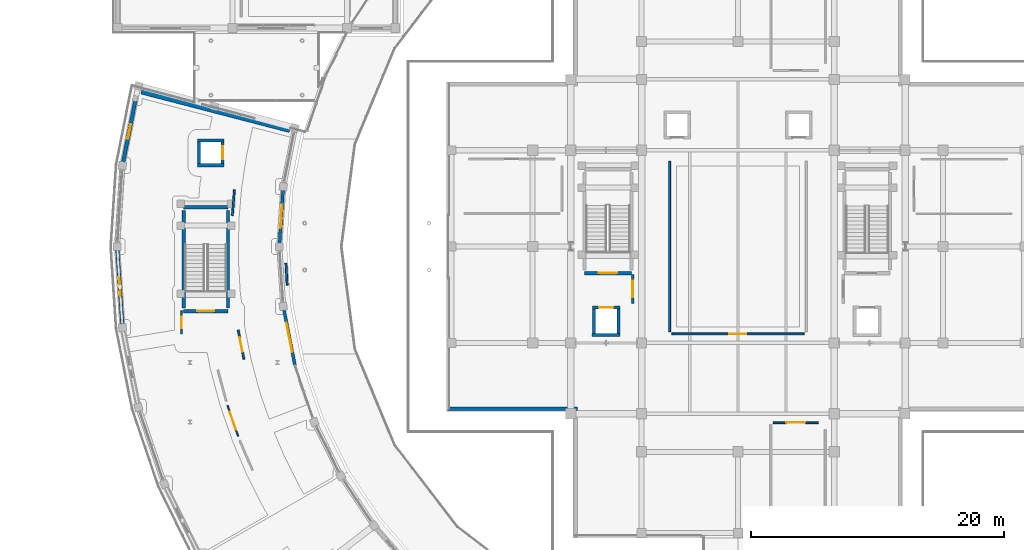
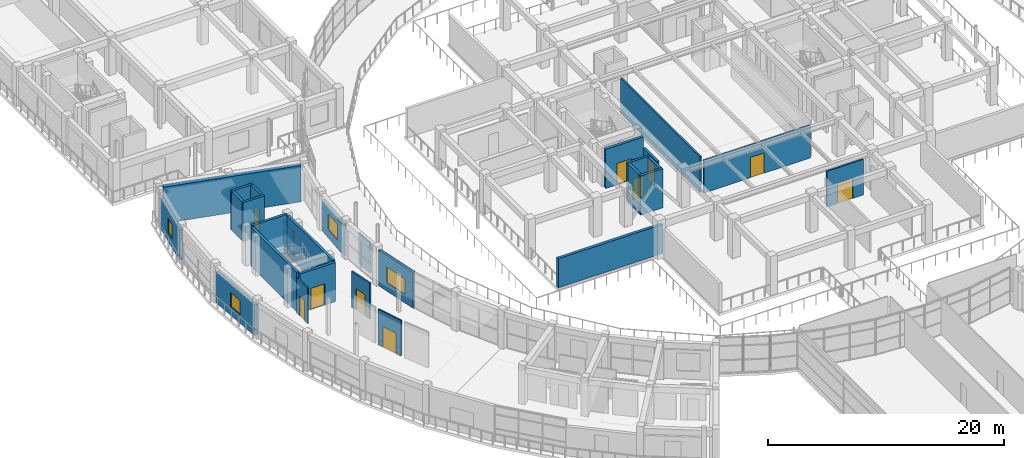
# One storey, part 57 of 83: 28 walls, 10 doors, 4 windows, 14 openings.
"""IFC4 building model written with IfcOpenShell, lengths in metres."""

from ifc_helpers import new_model, si_unit, direction, frame, frame_2d, origin, place, context, subcontext, project, spatial, rectangle, extrude, material, layer, layer_set, type_object, element, fill, save


model = new_model("IFC4")

# Units and contexts
model_context = context("Model", 3, precision=1e-05, world=origin(), true_north=direction((0.0, 1.0)))
body_context = subcontext(model_context, "Body", "Model", "MODEL_VIEW")
ifc_project = project(units=[si_unit("LENGTHUNIT", "METRE"), si_unit("AREAUNIT", "SQUARE_METRE"), si_unit("VOLUMEUNIT", "CUBIC_METRE"), si_unit("PLANEANGLEUNIT", "RADIAN"), si_unit("MASSUNIT", "GRAM", prefix="KILO")], contexts=[model_context])

# Site, building, storey
site_placement = place(None, origin())
site = spatial("IfcSite", under=ifc_project, at=site_placement, CompositionType="ELEMENT")
building_placement = place(site_placement, origin())
building = spatial("IfcBuilding", under=site, at=building_placement, Name="Saryqyr Civic Hall", CompositionType="ELEMENT")
storey_placement = place(building_placement, frame((0.0, 0.0, 9.14990234375)))
storey = spatial("IfcBuildingStorey", under=building, at=storey_placement, Name="L02", CompositionType="ELEMENT", Elevation=9.14990234375)

# Wall, opening, window
ifc_material_1 = material(Name="Precast concrete C40/50", Category="concrete")
ifc_layer_1 = layer(ifc_material_1, 0.239990234375, Name="Precast concrete C40/50")
ifc_layer_set_1 = layer_set([ifc_layer_1], Name="Precast concrete C40/50")
wall_type_1 = type_object("IfcWallType", Name="ENV-WAL-EXT-240", PredefinedType="STANDARD", material=ifc_layer_set_1)
wall_1_placement = place(storey_placement, frame((21.09423828125, 88.489990234375, 0.0), z_axis=(0.0, 0.0, 1.0), x_axis=(-0.065386512163, -0.99786001224, 0.0)))
wall_1 = element("IfcWall", 1, at=wall_1_placement, inside=storey, type_object=wall_type_1, Name="Exterior wall V4-EWI-L02-01", PredefinedType="STANDARD", context=body_context, shape_type="SweptSolid", body=[
    extrude(rectangle(XDim=4.263916015625, YDim=0.239990234375, at=frame_2d((2.1318359375, 0.0))), origin(), (0.0, 0.0, 1.0), 3.1650390625),
])
opening_1_placement = place(wall_1_placement, frame((1.20703125, 0.0, 0.85009765625)))
opening_1 = element("IfcOpeningElement", 2, at=opening_1_placement, cuts=wall_1, Name="Opening W-20", PredefinedType="OPENING", context=body_context, shape_type="SweptSolid", body=[
    extrude(rectangle(XDim=1.85009765625, YDim=1.64990234375, at=frame_2d((0.925048828125, 0.824951171875))), frame((0.0, 0.1298828125, 0.0), z_axis=(0.0, -1.0, 0.0), x_axis=(1.0, 0.0, 0.0)), (0.0, 0.0, 1.0), 0.260009765625),
])
ifc_material_2 = material(Name="Anodised aluminium and triple low-E glass", Category="aluminium")
window_type_1 = type_object("IfcWindowType", Name="ENV-WIN-W20", PartitioningType="SINGLE_PANEL", PredefinedType="WINDOW", material=ifc_material_2)
window_1_placement = place(opening_1_placement, origin())
window_1 = element("IfcWindow", 3, at=window_1_placement, inside=storey, type_object=window_type_1, Name="Courtyard window V4-L02-01", OverallHeight=1.64990234375, OverallWidth=1.85009765625, PartitioningType="SINGLE_PANEL", PredefinedType="WINDOW", context=body_context, shape_type="SweptSolid", body=[
    extrude(rectangle(XDim=1.85009765625, YDim=1.64990234375, at=frame_2d((0.925048828125, 0.824951171875))), frame((0.0, 0.030029296875, 0.0), z_axis=(0.0, -1.0, 0.0), x_axis=(1.0, 0.0, 0.0)), (0.0, 0.0, 1.0), 0.06005859375),
])
fill(opening_1, window_1)

wall_2_placement = place(storey_placement, frame((21.156494140625, 79.0400390625, 0.0), z_axis=(0.0, 0.0, 1.0), x_axis=(0.195071653653, -0.980788993587, 0.0)))
wall_2 = element("IfcWall", 4, at=wall_2_placement, inside=storey, type_object=wall_type_1, Name="Exterior wall V4-EWI-L02-03", PredefinedType="STANDARD", context=body_context, shape_type="SweptSolid", body=[
    extrude(rectangle(XDim=4.49560546875, YDim=0.239990234375, at=frame_2d((2.247802734375, 0.0))), origin(), (0.0, 0.0, 1.0), 3.7001953125),
])
opening_2_placement = place(wall_2_placement, frame((1.072998046875, 0.0, 0.85009765625)))
opening_2 = element("IfcOpeningElement", 5, at=opening_2_placement, cuts=wall_2, Name="Opening W-22", PredefinedType="OPENING", context=body_context, shape_type="SweptSolid", body=[
    extrude(rectangle(XDim=2.35009765625, YDim=1.64990234375, at=frame_2d((1.175048828125, 0.824951171875))), frame((0.0, 0.1298828125, 0.0), z_axis=(0.0, -1.0, 0.0), x_axis=(1.0, 0.0, 0.0)), (0.0, 0.0, 1.0), 0.260009765625),
])
window_type_2 = type_object("IfcWindowType", Name="ENV-WIN-W22", PartitioningType="SINGLE_PANEL", PredefinedType="WINDOW", material=ifc_material_2)
window_2_placement = place(opening_2_placement, origin())
window_2 = element("IfcWindow", 6, at=window_2_placement, inside=storey, type_object=window_type_2, Name="Courtyard window V4-L02-03", OverallHeight=1.64990234375, OverallWidth=2.35009765625, PartitioningType="SINGLE_PANEL", PredefinedType="WINDOW", context=body_context, shape_type="SweptSolid", body=[
    extrude(rectangle(XDim=2.35009765625, YDim=1.64990234375, at=frame_2d((1.175048828125, 0.824951171875))), frame((0.0, 0.030029296875, 0.0), z_axis=(0.0, -1.0, 0.0), x_axis=(1.0, 0.0, 0.0)), (0.0, 0.0, 1.0), 0.06005859375),
])
fill(opening_2, window_2)

# Wall
ifc_layer_2 = layer(ifc_material_1, 0.27001953125, Name="Precast concrete C40/50")
ifc_layer_set_2 = layer_set([ifc_layer_2], Name="Precast concrete C40/50")
wall_type_2 = type_object("IfcWallType", Name="ENV-WAL-EXT-270", PredefinedType="STANDARD", material=ifc_layer_set_2)
wall_3_placement = place(storey_placement, frame((44.320068359375, 71.199951171875, 0.0), z_axis=(0.0, 0.0, 1.0), x_axis=(-1.0, 0.0, 0.0)))
element("IfcWall", 7, at=wall_3_placement, inside=storey, type_object=wall_type_2, Name="Exterior wall V1-EW-L02-01", PredefinedType="STANDARD", context=body_context, shape_type="SweptSolid", body=[
    extrude(rectangle(XDim=10.239990234375, YDim=0.27001953125, at=frame_2d((5.1201171875, 0.0))), origin(), (0.0, 0.0, 1.0), 3.01513671875),
])

# Wall, opening, window
ifc_layer_3 = layer(ifc_material_1, 0.2900390625, Name="Precast concrete C40/50")
ifc_layer_set_3 = layer_set([ifc_layer_3], Name="Precast concrete C40/50")
wall_type_3 = type_object("IfcWallType", Name="ENV-WAL-EXT-290", PredefinedType="STANDARD", material=ifc_layer_set_3)
wall_4_placement = place(storey_placement, frame((8.4658203125, 90.630859375, 0.0), z_axis=(0.0, 0.0, 1.0), x_axis=(0.195083817114, 0.980786574286, 0.0)))
wall_4 = element("IfcWall", 8, at=wall_4_placement, inside=storey, type_object=wall_type_3, Name="Exterior wall V4-EWO-L02-00", PredefinedType="STANDARD", context=body_context, shape_type="SweptSolid", body=[
    extrude(rectangle(XDim=5.00341796875, YDim=0.2900390625, at=frame_2d((2.501708984375, 0.0))), origin(), (0.0, 0.0, 1.0), 3.1650390625),
])
opening_3_placement = place(wall_4_placement, frame((1.927001953125, 0.0, 0.85009765625)))
opening_3 = element("IfcOpeningElement", 9, at=opening_3_placement, cuts=wall_4, Name="Opening W-09", PredefinedType="OPENING", context=body_context, shape_type="SweptSolid", body=[
    extrude(rectangle(XDim=1.14990234375, YDim=1.5, at=frame_2d((0.574951171875, 0.75))), frame((0.0, 0.155029296875, 0.0), z_axis=(0.0, -1.0, 0.0), x_axis=(1.0, 0.0, 0.0)), (0.0, 0.0, 1.0), 0.31005859375),
])
window_type_3 = type_object("IfcWindowType", Name="ENV-WIN-W09", PartitioningType="SINGLE_PANEL", PredefinedType="WINDOW", material=ifc_material_2)
window_3_placement = place(opening_3_placement, origin())
window_3 = element("IfcWindow", 10, at=window_3_placement, inside=storey, type_object=window_type_3, Name="Exterior ribbon window V4-L02-00", OverallHeight=1.5, OverallWidth=1.14990234375, PartitioningType="SINGLE_PANEL", PredefinedType="WINDOW", context=body_context, shape_type="SweptSolid", body=[
    extrude(rectangle(XDim=1.14990234375, YDim=1.5, at=frame_2d((0.574951171875, 0.75))), frame((0.0, 0.030029296875, 0.0), z_axis=(0.0, -1.0, 0.0), x_axis=(1.0, 0.0, 0.0)), (0.0, 0.0, 1.0), 0.06005859375),
])
fill(opening_3, window_3)

wall_5_placement = place(storey_placement, frame((8.40380859375, 77.839111328125, 0.0), z_axis=(0.0, 0.0, 1.0), x_axis=(-0.065408412816, 0.99785857692, 0.0)))
wall_5 = element("IfcWall", 11, at=wall_5_placement, inside=storey, type_object=wall_type_3, Name="Exterior wall V4-EWO-L02-02", PredefinedType="STANDARD", context=body_context, shape_type="SweptSolid", body=[
    extrude(rectangle(XDim=5.9384765625, YDim=0.2900390625, at=frame_2d((2.96923828125, 0.0))), origin(), (0.0, 0.0, 1.0), 3.1650390625),
])
opening_4_placement = place(wall_5_placement, frame((2.243896484375, 0.0, 0.85009765625)))
opening_4 = element("IfcOpeningElement", 12, at=opening_4_placement, cuts=wall_5, Name="Opening W-11", PredefinedType="OPENING", context=body_context, shape_type="SweptSolid", body=[
    extrude(rectangle(XDim=1.449951171875, YDim=1.5, at=frame_2d((0.72509765625, 0.75))), frame((0.0, 0.155029296875, 0.0), z_axis=(0.0, -1.0, 0.0), x_axis=(1.0, 0.0, 0.0)), (0.0, 0.0, 1.0), 0.31005859375),
])
window_type_4 = type_object("IfcWindowType", Name="ENV-WIN-W11", PartitioningType="SINGLE_PANEL", PredefinedType="WINDOW", material=ifc_material_2)
window_4_placement = place(opening_4_placement, origin())
window_4 = element("IfcWindow", 13, at=window_4_placement, inside=storey, type_object=window_type_4, Name="Exterior ribbon window V4-L02-02", OverallHeight=1.5, OverallWidth=1.449951171875, PartitioningType="SINGLE_PANEL", PredefinedType="WINDOW", context=body_context, shape_type="SweptSolid", body=[
    extrude(rectangle(XDim=1.449951171875, YDim=1.5, at=frame_2d((0.72509765625, 0.75))), frame((0.0, 0.030029296875, 0.0), z_axis=(0.0, -1.0, 0.0), x_axis=(1.0, 0.0, 0.0)), (0.0, 0.0, 1.0), 0.06005859375),
])
fill(opening_4, window_4)

# Wall
ifc_material_3 = material(Name="Concrete C40/50", Category="concrete")
ifc_layer_4 = layer(ifc_material_3, 0.3798828125, Name="Concrete C40/50")
ifc_layer_set_4 = layer_set([ifc_layer_4], Name="Concrete C40/50")
wall_type_4 = type_object("IfcWallType", Name="ENV-WAL-PTY-380", PredefinedType="SHEAR", material=ifc_layer_set_4)
wall_6_placement = place(storey_placement, frame((9.910400390625, 96.22216796875, 0.0), z_axis=(0.0, 0.0, 1.0), x_axis=(0.96792914822, -0.251223334956, 0.0)))
element("IfcWall", 14, at=wall_6_placement, inside=storey, type_object=wall_type_4, Name="Exterior wall V4-JNTW-A-L02", PredefinedType="SHEAR", context=body_context, shape_type="SweptSolid", body=[
    extrude(rectangle(XDim=12.099853515625, YDim=0.3798828125, at=frame_2d((6.0498046875, 0.0))), origin(), (0.0, 0.0, 1.0), 3.75),
])

# Wall, opening, door
ifc_material_4 = material(Name="Autoclaved aerated concrete blockwork", Category="masonry")
ifc_layer_5 = layer(ifc_material_4, 0.199951171875, Name="Autoclaved aerated concrete blockwork")
ifc_layer_set_5 = layer_set([ifc_layer_5], Name="Autoclaved aerated concrete blockwork")
wall_type_5 = type_object("IfcWallType", Name="INT-WAL-FIR-200", PredefinedType="PARTITIONING", material=ifc_layer_set_5)
wall_7_placement = place(storey_placement, frame((48.699951171875, 81.800048828125, 0.0), z_axis=(0.0, 0.0, 1.0), x_axis=(0.0, -1.0, 0.0)))
wall_7 = element("IfcWall", 15, at=wall_7_placement, inside=storey, type_object=wall_type_5, Name="Firefighting lift lobby enclosure wall LF-01 L02", PredefinedType="PARTITIONING", context=body_context, shape_type="SweptSolid", body=[
    extrude(rectangle(XDim=2.300048828125, YDim=0.199951171875, at=frame_2d((1.14990234375, 0.0))), origin(), (0.0, 0.0, 1.0), 2.900146484375),
])
opening_5_placement = place(wall_7_placement, frame((0.5, 0.0, 0.0)))
opening_5 = element("IfcOpeningElement", 16, at=opening_5_placement, cuts=wall_7, Name="Opening FD-01", PredefinedType="OPENING", context=body_context, shape_type="SweptSolid", body=[
    extrude(rectangle(XDim=1.300048828125, YDim=2.199951171875, at=frame_2d((0.64990234375, 1.10009765625))), frame((0.0, 0.10986328125, 0.0), z_axis=(0.0, -1.0, 0.0), x_axis=(1.0, 0.0, 0.0)), (0.0, 0.0, 1.0), 0.219970703125),
])
ifc_material_5 = material(Name="Painted galvanized steel", Category="steel")
door_type_1 = type_object("IfcDoorType", Name="INT-DR-FFLOB-1300x2200", OperationType="NOTDEFINED", PredefinedType="DOOR", material=ifc_material_5)
door_1_placement = place(opening_5_placement, origin())
door_1 = element("IfcDoor", 17, at=door_1_placement, inside=storey, type_object=door_type_1, Name="Firefighting lift lobby smoke-control door LF-01 L02", OperationType="SINGLE_SWING_RIGHT", OverallHeight=2.199951171875, OverallWidth=1.300048828125, PredefinedType="DOOR", context=body_context, shape_type="SweptSolid", body=[
    extrude(rectangle(XDim=1.300048828125, YDim=2.199951171875, at=frame_2d((0.64990234375, 1.10009765625))), frame((0.0, 0.02490234375, 0.0), z_axis=(0.0, -1.0, 0.0), x_axis=(1.0, 0.0, 0.0)), (0.0, 0.0, 1.0), 0.050048828125),
])
fill(opening_5, door_1)

ifc_material_6 = material(Name="Moisture-resistant gypsum partition", Category="gypsum")
ifc_layer_6 = layer(ifc_material_6, 0.110107421875, Name="Moisture-resistant gypsum partition")
ifc_layer_set_6 = layer_set([ifc_layer_6], Name="Moisture-resistant gypsum partition")
wall_type_6 = type_object("IfcWallType", Name="INT-WAL-PRT-110", PredefinedType="PARTITIONING", material=ifc_layer_set_6)
wall_8_placement = place(storey_placement, frame((16.71533203125, 71.450439453125, 0.0), z_axis=(0.0, 0.0, 1.0), x_axis=(0.326161545745, -0.945314046271, 0.0)))
wall_8 = element("IfcWall", 18, at=wall_8_placement, inside=storey, type_object=wall_type_6, Name="Interior partition PRT-SP-V4-L02-R02-W1", PredefinedType="PARTITIONING", context=body_context, shape_type="SweptSolid", body=[
    extrude(rectangle(XDim=2.553955078125, YDim=0.110107421875, at=frame_2d((1.27685546875, 0.0))), origin(), (0.0, 0.0, 1.0), 3.7001953125),
])
opening_6_placement = place(wall_8_placement, frame((0.527099609375, 0.0, 0.0)))
opening_6 = element("IfcOpeningElement", 19, at=opening_6_placement, cuts=wall_8, Name="Opening D-08", PredefinedType="OPENING", context=body_context, shape_type="SweptSolid", body=[
    extrude(rectangle(XDim=1.5, YDim=2.10009765625, at=frame_2d((0.75, 1.050048828125))), frame((0.0, 0.06494140625, 0.0), z_axis=(0.0, -1.0, 0.0), x_axis=(1.0, 0.0, 0.0)), (0.0, 0.0, 1.0), 0.130126953125),
])
ifc_material_7 = material(Name="Acoustic solid-core oak veneer", Category="wood")
door_type_2 = type_object("IfcDoorType", Name="INT-DR-D-08", OperationType="NOTDEFINED", PredefinedType="DOOR", material=ifc_material_7)
door_2_placement = place(opening_6_placement, origin())
door_2 = element("IfcDoor", 20, at=door_2_placement, inside=storey, type_object=door_type_2, Name="Interior door Standing Committee Room 2 (Budget & Finance)", OperationType="SINGLE_SWING_LEFT", OverallHeight=2.10009765625, OverallWidth=1.5, PredefinedType="DOOR", context=body_context, shape_type="SweptSolid", body=[
    extrude(rectangle(XDim=1.5, YDim=2.10009765625, at=frame_2d((0.75, 1.050048828125))), frame((0.0, 0.02490234375, 0.0), z_axis=(0.0, -1.0, 0.0), x_axis=(1.0, 0.0, 0.0)), (0.0, 0.0, 1.0), 0.050048828125),
])
fill(opening_6, door_2)

ifc_material_8 = material(Name="Metal-stud gypsum board partition", Category="gypsum")
ifc_layer_7 = layer(ifc_material_8, 0.125, Name="Metal-stud gypsum board partition")
ifc_layer_set_7 = layer_set([ifc_layer_7], Name="Metal-stud gypsum board partition")
wall_type_7 = type_object("IfcWallType", Name="INT-WAL-PRT-125", PredefinedType="PARTITIONING", material=ifc_layer_set_7)
wall_9_placement = place(storey_placement, frame((13.080078125, 78.922119140625, 0.0), z_axis=(0.0, 0.0, 1.0), x_axis=(0.0, -1.0, 0.0)))
wall_9 = element("IfcWall", 21, at=wall_9_placement, inside=storey, type_object=wall_type_7, Name="Interior partition PRT-SP-V4-L02-R01-W1", PredefinedType="PARTITIONING", context=body_context, shape_type="SweptSolid", body=[
    extrude(rectangle(XDim=1.8115234375, YDim=0.125, at=frame_2d((0.90576171875, 0.0))), origin(), (0.0, 0.0, 1.0), 3.7001953125),
])
opening_7_placement = place(wall_9_placement, frame((0.4560546875, 0.0, 0.0)))
opening_7 = element("IfcOpeningElement", 22, at=opening_7_placement, cuts=wall_9, Name="Opening D-01", PredefinedType="OPENING", context=body_context, shape_type="SweptSolid", body=[
    extrude(rectangle(XDim=0.89990234375, YDim=2.10009765625, at=frame_2d((0.449951171875, 1.050048828125))), frame((0.0, 0.072509765625, 0.0), z_axis=(0.0, -1.0, 0.0), x_axis=(1.0, 0.0, 0.0)), (0.0, 0.0, 1.0), 0.14501953125),
])
door_type_3 = type_object("IfcDoorType", Name="INT-DR-D-01", OperationType="NOTDEFINED", PredefinedType="DOOR", material=ifc_material_7)
door_3_placement = place(opening_7_placement, origin())
door_3 = element("IfcDoor", 23, at=door_3_placement, inside=storey, type_object=door_type_3, Name="Interior door Standing Committee Room 1 (Urban Planning)", OperationType="SINGLE_SWING_RIGHT", OverallHeight=2.10009765625, OverallWidth=0.89990234375, PredefinedType="DOOR", context=body_context, shape_type="SweptSolid", body=[
    extrude(rectangle(XDim=0.89990234375, YDim=2.10009765625, at=frame_2d((0.449951171875, 1.050048828125))), frame((0.0, 0.02490234375, 0.0), z_axis=(0.0, -1.0, 0.0), x_axis=(1.0, 0.0, 0.0)), (0.0, 0.0, 1.0), 0.050048828125),
])
fill(opening_7, door_3)

ifc_layer_8 = layer(ifc_material_8, 0.139892578125, Name="Metal-stud gypsum board partition")
ifc_layer_set_8 = layer_set([ifc_layer_8], Name="Metal-stud gypsum board partition")
wall_type_8 = type_object("IfcWallType", Name="INT-WAL-PRT-140", PredefinedType="PARTITIONING", material=ifc_layer_set_8)
wall_10_placement = place(storey_placement, frame((59.780029296875, 70.10009765625, 0.0), z_axis=(0.0, 0.0, 1.0), x_axis=(1.0, 0.0, 0.0)))
wall_10 = element("IfcWall", 24, at=wall_10_placement, inside=storey, type_object=wall_type_8, Name="Interior partition PRT-SP-V1-L02-R02-W1", PredefinedType="PARTITIONING", context=body_context, shape_type="SweptSolid", body=[
    extrude(rectangle(XDim=3.570068359375, YDim=0.139892578125, at=frame_2d((1.78515625, 0.0))), origin(), (0.0, 0.0, 1.0), 3.7001953125),
])
opening_8_placement = place(wall_10_placement, frame((1.034912109375, 0.0, 0.0)))
opening_8 = element("IfcOpeningElement", 25, at=opening_8_placement, cuts=wall_10, Name="Opening D-08", PredefinedType="OPENING", context=body_context, shape_type="SweptSolid", body=[
    extrude(rectangle(XDim=1.5, YDim=2.10009765625, at=frame_2d((0.75, 1.050048828125))), frame((0.0, 0.079833984375, 0.0), z_axis=(0.0, -1.0, 0.0), x_axis=(1.0, 0.0, 0.0)), (0.0, 0.0, 1.0), 0.159912109375),
])
door_4_placement = place(opening_8_placement, origin())
door_4 = element("IfcDoor", 26, at=door_4_placement, inside=storey, type_object=door_type_2, Name="Interior door Committee Public Waiting Foyer", OperationType="SINGLE_SWING_RIGHT", OverallHeight=2.10009765625, OverallWidth=1.5, PredefinedType="DOOR", context=body_context, shape_type="SweptSolid", body=[
    extrude(rectangle(XDim=1.5, YDim=2.10009765625, at=frame_2d((0.75, 1.050048828125))), frame((0.0, 0.02490234375, 0.0), z_axis=(0.0, -1.0, 0.0), x_axis=(1.0, 0.0, 0.0)), (0.0, 0.0, 1.0), 0.050048828125),
])
fill(opening_8, door_4)

# Wall
ifc_material_9 = material(Name="Acoustic double-stud gypsum board", Category="gypsum")
ifc_layer_9 = layer(ifc_material_9, 0.155029296875, Name="Acoustic double-stud gypsum board")
ifc_layer_set_9 = layer_set([ifc_layer_9], Name="Acoustic double-stud gypsum board")
wall_type_9 = type_object("IfcWallType", Name="INT-WAL-PRT-155", PredefinedType="PARTITIONING", material=ifc_layer_set_9)
wall_11_placement = place(storey_placement, frame((21.319091796875, 82.6845703125, 0.0), z_axis=(0.0, 0.0, 1.0), x_axis=(0.055952759795, -0.998433417245, 0.0)))
element("IfcWall", 27, at=wall_11_placement, inside=storey, type_object=wall_type_9, Name="Interior partition PRT-SP-V4-L02-R05-W1", PredefinedType="PARTITIONING", context=body_context, shape_type="SweptSolid", body=[
    extrude(rectangle(XDim=1.736572265625, YDim=0.155029296875, at=frame_2d((0.8681640625, 0.0))), origin(), (0.0, 0.0, 1.0), 3.1650390625),
])

# Wall, opening, door
wall_12_placement = place(storey_placement, frame((18.006591796875, 75.109619140625, 0.0), z_axis=(0.0, 0.0, 1.0), x_axis=(-0.192987304294, 0.981201253761, 0.0)))
wall_12 = element("IfcWall", 28, at=wall_12_placement, inside=storey, type_object=wall_type_9, Name="Interior partition PRT-SP-V4-L02-R05-W2", PredefinedType="PARTITIONING", context=body_context, shape_type="SweptSolid", body=[
    extrude(rectangle(XDim=2.341552734375, YDim=0.155029296875, at=frame_2d((1.1708984375, 0.0))), origin(), (0.0, 0.0, 1.0), 3.7001953125),
])
opening_9_placement = place(wall_12_placement, frame((0.595947265625, 0.0, 0.0)))
opening_9 = element("IfcOpeningElement", 29, at=opening_9_placement, cuts=wall_12, Name="Opening D-11", PredefinedType="OPENING", context=body_context, shape_type="SweptSolid", body=[
    extrude(rectangle(XDim=1.14990234375, YDim=2.219970703125, at=frame_2d((0.574951171875, 1.10986328125))), frame((0.0, 0.08740234375, 0.0), z_axis=(0.0, -1.0, 0.0), x_axis=(1.0, 0.0, 0.0)), (0.0, 0.0, 1.0), 0.175048828125),
])
door_type_4 = type_object("IfcDoorType", Name="INT-DR-D-11", OperationType="NOTDEFINED", PredefinedType="DOOR", material=ifc_material_7)
door_5_placement = place(opening_9_placement, origin())
door_5 = element("IfcDoor", 30, at=door_5_placement, inside=storey, type_object=door_type_4, Name="Interior door Urban Architecture & GIS Studio", OperationType="SINGLE_SWING_RIGHT", OverallHeight=2.219970703125, OverallWidth=1.14990234375, PredefinedType="DOOR", context=body_context, shape_type="SweptSolid", body=[
    extrude(rectangle(XDim=1.14990234375, YDim=2.219970703125, at=frame_2d((0.574951171875, 1.10986328125))), frame((0.0, 0.02490234375, 0.0), z_axis=(0.0, -1.0, 0.0), x_axis=(1.0, 0.0, 0.0)), (0.0, 0.0, 1.0), 0.050048828125),
])
fill(opening_9, door_5)

# Wall
wall_13_placement = place(storey_placement, frame((17.09033203125, 86.451904296875, 0.0), z_axis=(0.0, 0.0, 1.0), x_axis=(0.082051229654, 0.996628113045, 0.0)))
element("IfcWall", 31, at=wall_13_placement, inside=storey, type_object=wall_type_9, Name="Interior partition PRT-SP-V4-L02-R05-W3", PredefinedType="PARTITIONING", context=body_context, shape_type="SweptSolid", body=[
    extrude(rectangle(XDim=2.0322265625, YDim=0.155029296875, at=frame_2d((1.01611328125, 0.0))), origin(), (0.0, 0.0, 1.0), 2.4501953125),
])

# Wall, opening, door
wall_14_placement = place(storey_placement, frame((62.219970703125, 77.10009765625, 0.0), z_axis=(0.0, 0.0, 1.0), x_axis=(-1.0, 0.0, 0.0)))
wall_14 = element("IfcWall", 32, at=wall_14_placement, inside=storey, type_object=wall_type_9, Name="Interior partition PRT-SP-V1-L02-R01-W1", PredefinedType="PARTITIONING", context=body_context, shape_type="SweptSolid", body=[
    extrude(rectangle(XDim=10.43994140625, YDim=0.155029296875, at=frame_2d((5.219970703125, 0.0))), origin(), (0.0, 0.0, 1.0), 3.364990234375),
])
opening_10_placement = place(wall_14_placement, frame((4.544921875, 0.0, 0.0)))
opening_10 = element("IfcOpeningElement", 33, at=opening_10_placement, cuts=wall_14, Name="Opening D-07", PredefinedType="OPENING", context=body_context, shape_type="SweptSolid", body=[
    extrude(rectangle(XDim=1.35009765625, YDim=2.10009765625, at=frame_2d((0.675048828125, 1.050048828125))), frame((0.0, 0.08740234375, 0.0), z_axis=(0.0, -1.0, 0.0), x_axis=(1.0, 0.0, 0.0)), (0.0, 0.0, 1.0), 0.175048828125),
])
door_type_5 = type_object("IfcDoorType", Name="INT-DR-D-07", OperationType="NOTDEFINED", PredefinedType="DOOR", material=ifc_material_7)
door_6_placement = place(opening_10_placement, origin())
door_6 = element("IfcDoor", 34, at=door_6_placement, inside=storey, type_object=door_type_5, Name="Interior door Principal Plenary Committee Hall", OperationType="SINGLE_SWING_LEFT", OverallHeight=2.10009765625, OverallWidth=1.35009765625, PredefinedType="DOOR", context=body_context, shape_type="SweptSolid", body=[
    extrude(rectangle(XDim=1.35009765625, YDim=2.10009765625, at=frame_2d((0.675048828125, 1.050048828125))), frame((0.0, 0.02490234375, 0.0), z_axis=(0.0, -1.0, 0.0), x_axis=(1.0, 0.0, 0.0)), (0.0, 0.0, 1.0), 0.050048828125),
])
fill(opening_10, door_6)

# Walls
wall_15_placement = place(storey_placement, frame((51.60009765625, 77.280029296875, 0.0), z_axis=(0.0, 0.0, 1.0), x_axis=(0.0, 1.0, 0.0)))
element("IfcWall", 35, at=wall_15_placement, inside=storey, type_object=wall_type_9, Name="Interior partition PRT-SP-V1-L02-R01-W3", PredefinedType="PARTITIONING", context=body_context, shape_type="SweptSolid", body=[
    extrude(rectangle(XDim=13.43994140625, YDim=0.155029296875, at=frame_2d((6.719970703125, 0.0))), origin(), (0.0, 0.0, 1.0), 3.7001953125),
])
ifc_layer_10 = layer(ifc_material_3, 0.239990234375, Name="Concrete C40/50")
ifc_layer_set_10 = layer_set([ifc_layer_10], Name="Concrete C40/50")
wall_type_10 = type_object("IfcWallType", Name="INT-WAL-SHR-240", PredefinedType="SHEAR", material=ifc_layer_set_10)
wall_16_placement = place(storey_placement, frame((47.699951171875, 77.02001953125, 0.0), z_axis=(0.0, 0.0, 1.0), x_axis=(-1.0, 0.0, 0.0)))
element("IfcWall", 36, at=wall_16_placement, inside=storey, type_object=wall_type_10, Name="Lift shaft shear wall LF-01-SHW-S-L02", PredefinedType="SHEAR", context=body_context, shape_type="SweptSolid", body=[
    extrude(rectangle(XDim=2.199951171875, YDim=0.239990234375, at=frame_2d((1.10009765625, 0.0))), origin(), (0.0, 0.0, 1.0), 4.050048828125),
])
wall_17_placement = place(storey_placement, frame((47.580078125, 79.06005859375, 0.0), z_axis=(0.0, 0.0, 1.0), x_axis=(0.0, -1.0, 0.0)))
element("IfcWall", 37, at=wall_17_placement, inside=storey, type_object=wall_type_10, Name="Lift shaft shear wall LF-01-SHW-E-L02", PredefinedType="SHEAR", context=body_context, shape_type="SweptSolid", body=[
    extrude(rectangle(XDim=1.920166015625, YDim=0.239990234375, at=frame_2d((0.9599609375, 0.0))), origin(), (0.0, 0.0, 1.0), 4.050048828125),
])

# Wall, opening, door
wall_18_placement = place(storey_placement, frame((45.5, 79.179931640625, 0.0), z_axis=(0.0, 0.0, 1.0), x_axis=(1.0, 0.0, 0.0)))
wall_18 = element("IfcWall", 38, at=wall_18_placement, inside=storey, type_object=wall_type_10, Name="Lift shaft shear wall LF-01-SHW-N-L02", PredefinedType="SHEAR", context=body_context, shape_type="SweptSolid", body=[
    extrude(rectangle(XDim=2.199951171875, YDim=0.239990234375, at=frame_2d((1.10009765625, 0.0))), origin(), (0.0, 0.0, 1.0), 4.050048828125),
])
opening_11_placement = place(wall_18_placement, frame((0.550048828125, 0.0, 0.0)))
opening_11 = element("IfcOpeningElement", 39, at=opening_11_placement, cuts=wall_18, Name="Opening LD-01", PredefinedType="OPENING", context=body_context, shape_type="SweptSolid", body=[
    extrude(rectangle(XDim=1.10009765625, YDim=2.14990234375, at=frame_2d((0.550048828125, 1.074951171875))), frame((0.0, 0.1298828125, 0.0), z_axis=(0.0, -1.0, 0.0), x_axis=(1.0, 0.0, 0.0)), (0.0, 0.0, 1.0), 0.260009765625),
])
ifc_material_10 = material(Name="Brushed stainless steel", Category="steel")
door_type_6 = type_object("IfcDoorType", Name="INT-DR-LD-1100x2150", OperationType="NOTDEFINED", PredefinedType="DOOR", material=ifc_material_10)
door_7_placement = place(opening_11_placement, origin())
door_7 = element("IfcDoor", 40, at=door_7_placement, inside=storey, type_object=door_type_6, Name="Lift sliding landing door LF-01 L02", OperationType="SLIDING_TO_LEFT", OverallHeight=2.14990234375, OverallWidth=1.10009765625, PredefinedType="DOOR", context=body_context, shape_type="SweptSolid", body=[
    extrude(rectangle(XDim=1.10009765625, YDim=2.14990234375, at=frame_2d((0.550048828125, 1.074951171875))), frame((0.0, 0.02490234375, 0.0), z_axis=(0.0, -1.0, 0.0), x_axis=(1.0, 0.0, 0.0)), (0.0, 0.0, 1.0), 0.050048828125),
])
fill(opening_11, door_7)

# Walls
wall_19_placement = place(storey_placement, frame((45.6201171875, 77.139892578125, 0.0), z_axis=(0.0, 0.0, 1.0), x_axis=(0.0, 1.0, 0.0)))
element("IfcWall", 41, at=wall_19_placement, inside=storey, type_object=wall_type_10, Name="Lift shaft shear wall LF-01-SHW-W-L02", PredefinedType="SHEAR", context=body_context, shape_type="SweptSolid", body=[
    extrude(rectangle(XDim=1.920166015625, YDim=0.239990234375, at=frame_2d((0.9599609375, 0.0))), origin(), (0.0, 0.0, 1.0), 4.050048828125),
])
wall_20_placement = place(storey_placement, frame((16.449951171875, 90.419921875, 0.0), z_axis=(0.0, 0.0, 1.0), x_axis=(-1.0, 0.0, 0.0)))
element("IfcWall", 42, at=wall_20_placement, inside=storey, type_object=wall_type_10, Name="Lift shaft shear wall LF-06-SHW-S-L02", PredefinedType="SHEAR", context=body_context, shape_type="SweptSolid", body=[
    extrude(rectangle(XDim=2.099853515625, YDim=0.239990234375, at=frame_2d((1.0498046875, 0.0))), origin(), (0.0, 0.0, 1.0), 4.050048828125),
])

# Wall, opening, door
wall_21_placement = place(storey_placement, frame((16.330078125, 92.260009765625, 0.0), z_axis=(0.0, 0.0, 1.0), x_axis=(0.0, -1.0, 0.0)))
wall_21 = element("IfcWall", 43, at=wall_21_placement, inside=storey, type_object=wall_type_10, Name="Lift shaft shear wall LF-06-SHW-E-L02", PredefinedType="SHEAR", context=body_context, shape_type="SweptSolid", body=[
    extrude(rectangle(XDim=1.719970703125, YDim=0.239990234375, at=frame_2d((0.85986328125, 0.0))), origin(), (0.0, 0.0, 1.0), 4.050048828125),
])
opening_12_placement = place(wall_21_placement, frame((0.360107421875, 0.0, 0.0)))
opening_12 = element("IfcOpeningElement", 44, at=opening_12_placement, cuts=wall_21, Name="Opening LD-02", PredefinedType="OPENING", context=body_context, shape_type="SweptSolid", body=[
    extrude(rectangle(XDim=1.0, YDim=2.14990234375, at=frame_2d((0.5, 1.074951171875))), frame((0.0, 0.1298828125, 0.0), z_axis=(0.0, -1.0, 0.0), x_axis=(1.0, 0.0, 0.0)), (0.0, 0.0, 1.0), 0.260009765625),
])
door_type_7 = type_object("IfcDoorType", Name="INT-DR-LD-1000x2150", OperationType="NOTDEFINED", PredefinedType="DOOR", material=ifc_material_10)
door_8_placement = place(opening_12_placement, origin())
door_8 = element("IfcDoor", 45, at=door_8_placement, inside=storey, type_object=door_type_7, Name="Lift sliding landing door LF-06 L02", OperationType="SLIDING_TO_RIGHT", OverallHeight=2.14990234375, OverallWidth=1.0, PredefinedType="DOOR", context=body_context, shape_type="SweptSolid", body=[
    extrude(rectangle(XDim=1.0, YDim=2.14990234375, at=frame_2d((0.5, 1.074951171875))), frame((0.0, 0.02490234375, 0.0), z_axis=(0.0, -1.0, 0.0), x_axis=(1.0, 0.0, 0.0)), (0.0, 0.0, 1.0), 0.050048828125),
])
fill(opening_12, door_8)

# Walls
wall_22_placement = place(storey_placement, frame((14.35009765625, 92.3798828125, 0.0), z_axis=(0.0, 0.0, 1.0), x_axis=(1.0, 0.0, 0.0)))
element("IfcWall", 46, at=wall_22_placement, inside=storey, type_object=wall_type_10, Name="Lift shaft shear wall LF-06-SHW-N-L02", PredefinedType="SHEAR", context=body_context, shape_type="SweptSolid", body=[
    extrude(rectangle(XDim=2.099853515625, YDim=0.239990234375, at=frame_2d((1.0498046875, 0.0))), origin(), (0.0, 0.0, 1.0), 4.050048828125),
])
wall_23_placement = place(storey_placement, frame((14.469970703125, 90.5400390625, 0.0), z_axis=(0.0, 0.0, 1.0), x_axis=(0.0, 1.0, 0.0)))
element("IfcWall", 47, at=wall_23_placement, inside=storey, type_object=wall_type_10, Name="Lift shaft shear wall LF-06-SHW-W-L02", PredefinedType="SHEAR", context=body_context, shape_type="SweptSolid", body=[
    extrude(rectangle(XDim=1.719970703125, YDim=0.239990234375, at=frame_2d((0.85986328125, 0.0))), origin(), (0.0, 0.0, 1.0), 4.050048828125),
])

# Wall, opening, door
ifc_layer_11 = layer(ifc_material_3, 0.25, Name="Concrete C40/50")
ifc_layer_set_11 = layer_set([ifc_layer_11], Name="Concrete C40/50")
wall_type_11 = type_object("IfcWallType", Name="INT-WAL-SHR-250", PredefinedType="SHEAR", material=ifc_layer_set_11)
wall_24_placement = place(storey_placement, frame((48.60009765625, 81.89990234375, 0.0), z_axis=(0.0, 0.0, 1.0), x_axis=(-1.0, 0.0, 0.0)))
wall_24 = element("IfcWall", 48, at=wall_24_placement, inside=storey, type_object=wall_type_11, Name="Protected stair shaft wall ST-1-SW1-L02", PredefinedType="SHEAR", context=body_context, shape_type="SweptSolid", body=[
    extrude(rectangle(XDim=3.7001953125, YDim=0.25, at=frame_2d((1.85009765625, 0.0))), origin(), (0.0, 0.0, 1.0), 4.050048828125),
])
opening_13_placement = place(wall_24_placement, frame((1.125, 0.0, 0.0)))
opening_13 = element("IfcOpeningElement", 49, at=opening_13_placement, cuts=wall_24, Name="Opening SD-02", PredefinedType="OPENING", context=body_context, shape_type="SweptSolid", body=[
    extrude(rectangle(XDim=1.449951171875, YDim=2.199951171875, at=frame_2d((0.72509765625, 1.10009765625))), frame((0.0, 0.135009765625, 0.0), z_axis=(0.0, -1.0, 0.0), x_axis=(1.0, 0.0, 0.0)), (0.0, 0.0, 1.0), 0.27001953125),
])
door_type_8 = type_object("IfcDoorType", Name="INT-DR-STAIR-1450x2200", OperationType="NOTDEFINED", PredefinedType="DOOR", material=ifc_material_5)
door_9_placement = place(opening_13_placement, origin())
door_9 = element("IfcDoor", 50, at=door_9_placement, inside=storey, type_object=door_type_8, Name="Exit stair landing fire door ST-1-L02", OperationType="SINGLE_SWING_RIGHT", OverallHeight=2.199951171875, OverallWidth=1.449951171875, PredefinedType="DOOR", context=body_context, shape_type="SweptSolid", body=[
    extrude(rectangle(XDim=1.449951171875, YDim=2.199951171875, at=frame_2d((0.72509765625, 1.10009765625))), frame((0.0, 0.02490234375, 0.0), z_axis=(0.0, -1.0, 0.0), x_axis=(1.0, 0.0, 0.0)), (0.0, 0.0, 1.0), 0.050048828125),
])
fill(opening_13, door_9)

wall_25_placement = place(storey_placement, frame((16.75, 78.89990234375, 0.0), z_axis=(0.0, 0.0, 1.0), x_axis=(-1.0, 0.0, 0.0)))
wall_25 = element("IfcWall", 51, at=wall_25_placement, inside=storey, type_object=wall_type_11, Name="Protected stair shaft wall ST-4-SW1-L02", PredefinedType="SHEAR", context=body_context, shape_type="SweptSolid", body=[
    extrude(rectangle(XDim=3.5, YDim=0.25, at=frame_2d((1.75, 0.0))), origin(), (0.0, 0.0, 1.0), 4.050048828125),
])
opening_14_placement = place(wall_25_placement, frame((1.074951171875, 0.0, 0.0)))
opening_14 = element("IfcOpeningElement", 52, at=opening_14_placement, cuts=wall_25, Name="Opening SD-01", PredefinedType="OPENING", context=body_context, shape_type="SweptSolid", body=[
    extrude(rectangle(XDim=1.35009765625, YDim=2.199951171875, at=frame_2d((0.675048828125, 1.10009765625))), frame((0.0, 0.135009765625, 0.0), z_axis=(0.0, -1.0, 0.0), x_axis=(1.0, 0.0, 0.0)), (0.0, 0.0, 1.0), 0.27001953125),
])
door_type_9 = type_object("IfcDoorType", Name="INT-DR-STAIR-1350x2200", OperationType="NOTDEFINED", PredefinedType="DOOR", material=ifc_material_5)
door_10_placement = place(opening_14_placement, origin())
door_10 = element("IfcDoor", 53, at=door_10_placement, inside=storey, type_object=door_type_9, Name="Exit stair landing fire door ST-4-L02", OperationType="SINGLE_SWING_RIGHT", OverallHeight=2.199951171875, OverallWidth=1.35009765625, PredefinedType="DOOR", context=body_context, shape_type="SweptSolid", body=[
    extrude(rectangle(XDim=1.35009765625, YDim=2.199951171875, at=frame_2d((0.675048828125, 1.10009765625))), frame((0.0, 0.02490234375, 0.0), z_axis=(0.0, -1.0, 0.0), x_axis=(1.0, 0.0, 0.0)), (0.0, 0.0, 1.0), 0.050048828125),
])
fill(opening_14, door_10)

# Walls
wall_26_placement = place(storey_placement, frame((13.25, 79.14990234375, 0.0), z_axis=(0.0, 0.0, 1.0), x_axis=(0.0, 1.0, 0.0)))
element("IfcWall", 54, at=wall_26_placement, inside=storey, type_object=wall_type_11, Name="Protected stair shaft wall ST-4-SW2-L02", PredefinedType="SHEAR", context=body_context, shape_type="SweptSolid", body=[
    extrude(rectangle(XDim=7.7001953125, YDim=0.25, at=frame_2d((3.85009765625, 0.0))), origin(), (0.0, 0.0, 1.0), 4.050048828125),
])
wall_27_placement = place(storey_placement, frame((13.25, 87.10009765625, 0.0), z_axis=(0.0, 0.0, 1.0), x_axis=(1.0, 0.0, 0.0)))
element("IfcWall", 55, at=wall_27_placement, inside=storey, type_object=wall_type_11, Name="Protected stair shaft wall ST-4-SW3-L02", PredefinedType="SHEAR", context=body_context, shape_type="SweptSolid", body=[
    extrude(rectangle(XDim=3.5, YDim=0.25, at=frame_2d((1.75, 0.0))), origin(), (0.0, 0.0, 1.0), 4.050048828125),
])
wall_28_placement = place(storey_placement, frame((16.75, 86.85009765625, 0.0), z_axis=(0.0, 0.0, 1.0), x_axis=(0.0, -1.0, 0.0)))
element("IfcWall", 56, at=wall_28_placement, inside=storey, type_object=wall_type_11, Name="Protected stair shaft wall ST-4-SW4-L02", PredefinedType="SHEAR", context=body_context, shape_type="SweptSolid", body=[
    extrude(rectangle(XDim=7.7001953125, YDim=0.25, at=frame_2d((3.85009765625, 0.0))), origin(), (0.0, 0.0, 1.0), 4.050048828125),
])

save(model, "model.ifc")
